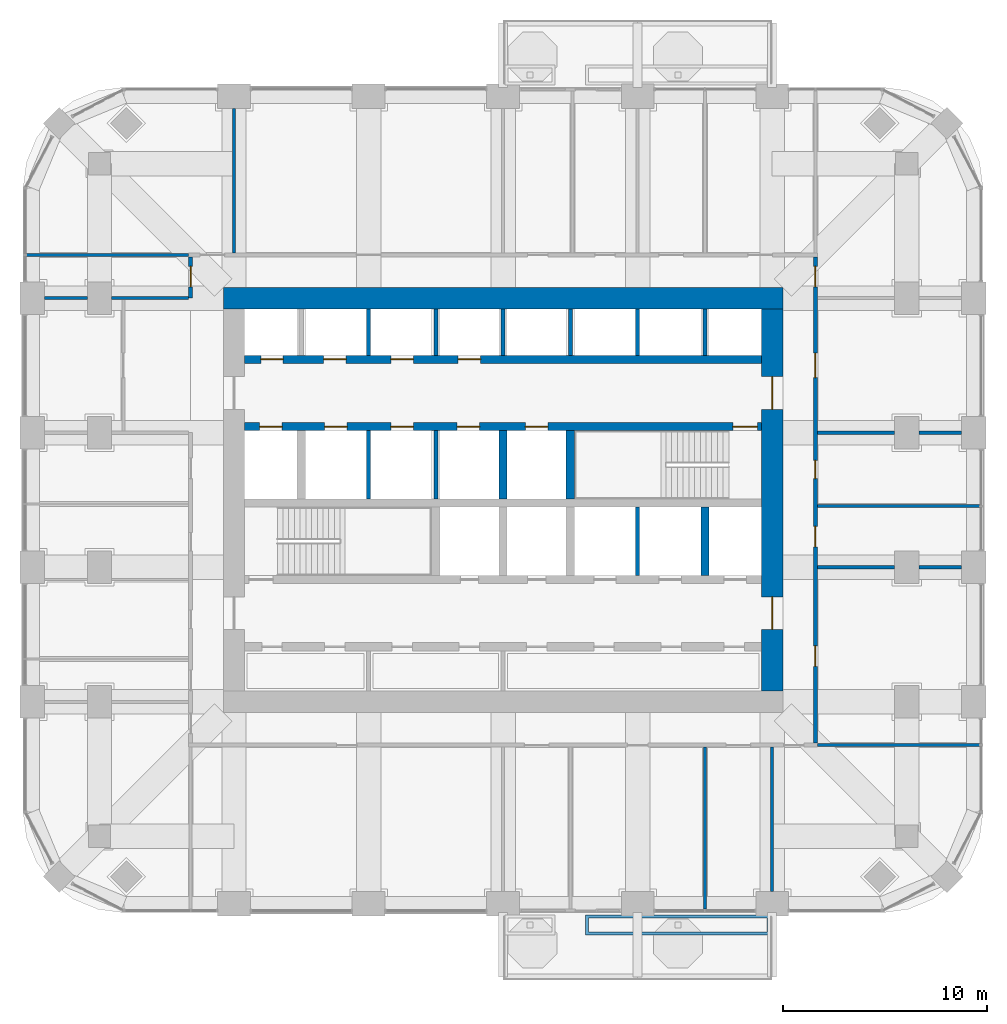
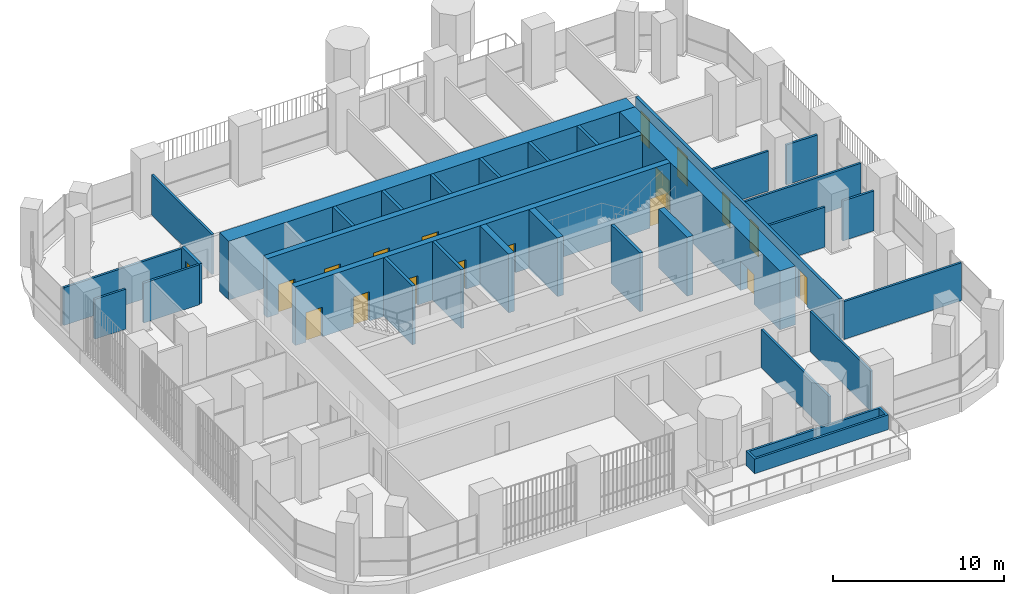
# One storey, part 14 of 19: 31 walls, 18 doors, 18 openings.
"""IFC4 building model written with IfcOpenShell, lengths in metres."""

from ifc_helpers import new_model, si_unit, direction, frame, frame_2d, origin, place, context, subcontext, project, spatial, polyline, rectangle, outline, extrude, material, layer, layer_set, type_object, element, fill, save


model = new_model("IFC4")

# Units and contexts
model_context = context("Model", 3, precision=1e-05, world=origin(), true_north=direction((0.0, 1.0)))
body_context = subcontext(model_context, "Body", "Model", "MODEL_VIEW")
ifc_project = project(units=[si_unit("LENGTHUNIT", "METRE"), si_unit("AREAUNIT", "SQUARE_METRE"), si_unit("VOLUMEUNIT", "CUBIC_METRE"), si_unit("PLANEANGLEUNIT", "RADIAN"), si_unit("MASSUNIT", "GRAM", prefix="KILO")], contexts=[model_context])

# Site, building, storey
site_placement = place(None, origin())
site = spatial("IfcSite", under=ifc_project, at=site_placement, CompositionType="ELEMENT")
building_placement = place(site_placement, origin())
building = spatial("IfcBuilding", under=site, at=building_placement, Name="Cobogo Forest Laboratory Tower", CompositionType="ELEMENT")
storey_placement = place(building_placement, frame((0.0, 0.0, 172.5)))
storey = spatial("IfcBuildingStorey", under=building, at=storey_placement, Name="L39", CompositionType="ELEMENT", Elevation=172.5)

# Wall, openings, doors
ifc_material_1 = material(Name="Concrete HA-50 (C50/60)", Category="concrete")
ifc_layer_1 = layer(ifc_material_1, 0.39990234375)
ifc_layer_set_1 = layer_set([ifc_layer_1], Name="CI400 core inner wall 400")
wall_type_1 = type_object("IfcWallType", Name="CI400 core inner wall 400", PredefinedType="SHEAR", material=ifc_layer_set_1)
wall_1_placement = place(storey_placement, frame((13.72509765625, 26.699951171875, 0.0), z_axis=(0.0, 0.0, 1.0), x_axis=(1.0, 0.0, 0.0)))
wall_1 = element("IfcWall", 1, at=wall_1_placement, inside=storey, type_object=wall_type_1, Name="Core wall CI-26.7 L39", PredefinedType="SHEAR", context=body_context, shape_type="SweptSolid", body=[
    extrude(rectangle(XDim=25.349853515625, YDim=0.39990234375, at=frame_2d((12.6748046875, 0.0))), origin(), (0.0, 0.0, 1.0), 4.199951171875),
])
opening_1_placement = place(wall_1_placement, frame((23.949951171875, 0.0, 0.0)))
opening_1 = element("IfcOpeningElement", 2, at=opening_1_placement, cuts=wall_1, Name="Opening L39-D28", PredefinedType="OPENING", context=body_context, shape_type="SweptSolid", body=[
    extrude(rectangle(XDim=1.199951171875, YDim=2.10009765625, at=frame_2d((0.60009765625, 1.050048828125))), frame((0.0, 0.2099609375, 0.0), z_axis=(0.0, -1.0, 0.0), x_axis=(1.0, 0.0, 0.0)), (0.0, 0.0, 1.0), 0.419921875),
])
opening_2_placement = place(wall_1_placement, frame((0.737548828125, 0.0, 0.0)))
opening_2 = element("IfcOpeningElement", 3, at=opening_2_placement, cuts=wall_1, Name="Opening L39-LD-FL1", PredefinedType="OPENING", context=body_context, shape_type="SweptSolid", body=[
    extrude(rectangle(XDim=1.10009765625, YDim=2.10009765625, at=frame_2d((0.550048828125, 1.050048828125))), frame((0.0, 0.2099609375, 0.0), z_axis=(0.0, -1.0, 0.0), x_axis=(1.0, 0.0, 0.0)), (0.0, 0.0, 1.0), 0.419921875),
])
opening_3_placement = place(wall_1_placement, frame((3.925048828125, 0.0, 0.0)))
opening_3 = element("IfcOpeningElement", 4, at=opening_3_placement, cuts=wall_1, Name="Opening L39-LD-LS3", PredefinedType="OPENING", context=body_context, shape_type="SweptSolid", body=[
    extrude(rectangle(XDim=1.10009765625, YDim=2.10009765625, at=frame_2d((0.550048828125, 1.050048828125))), frame((0.0, 0.2099609375, 0.0), z_axis=(0.0, -1.0, 0.0), x_axis=(1.0, 0.0, 0.0)), (0.0, 0.0, 1.0), 0.419921875),
])
opening_4_placement = place(wall_1_placement, frame((7.175048828125, 0.0, 0.0)))
opening_4 = element("IfcOpeningElement", 5, at=opening_4_placement, cuts=wall_1, Name="Opening L39-LD-LS4", PredefinedType="OPENING", context=body_context, shape_type="SweptSolid", body=[
    extrude(rectangle(XDim=1.10009765625, YDim=2.10009765625, at=frame_2d((0.550048828125, 1.050048828125))), frame((0.0, 0.2099609375, 0.0), z_axis=(0.0, -1.0, 0.0), x_axis=(1.0, 0.0, 0.0)), (0.0, 0.0, 1.0), 0.419921875),
])
opening_5_placement = place(wall_1_placement, frame((10.425048828125, 0.0, 0.0)))
opening_5 = element("IfcOpeningElement", 6, at=opening_5_placement, cuts=wall_1, Name="Opening L39-LD-LS5", PredefinedType="OPENING", context=body_context, shape_type="SweptSolid", body=[
    extrude(rectangle(XDim=1.10009765625, YDim=2.10009765625, at=frame_2d((0.550048828125, 1.050048828125))), frame((0.0, 0.2099609375, 0.0), z_axis=(0.0, -1.0, 0.0), x_axis=(1.0, 0.0, 0.0)), (0.0, 0.0, 1.0), 0.419921875),
])
opening_6_placement = place(wall_1_placement, frame((13.77490234375, 0.0, 0.0)))
opening_6 = element("IfcOpeningElement", 7, at=opening_6_placement, cuts=wall_1, Name="Opening L39-LD-LS6", PredefinedType="OPENING", context=body_context, shape_type="SweptSolid", body=[
    extrude(rectangle(XDim=1.10009765625, YDim=2.10009765625, at=frame_2d((0.550048828125, 1.050048828125))), frame((0.0, 0.2099609375, 0.0), z_axis=(0.0, -1.0, 0.0), x_axis=(1.0, 0.0, 0.0)), (0.0, 0.0, 1.0), 0.419921875),
])
ifc_material_2 = material(Name="Steel fire door", Category="steel")
door_type_1 = type_object("IfcDoorType", Name="DS1 protected stair door 1200 EI2 60", OperationType="SINGLE_SWING_LEFT", PredefinedType="DOOR", material=ifc_material_2)
door_1_placement = place(opening_1_placement, origin())
door_1 = element("IfcDoor", 8, at=door_1_placement, inside=storey, type_object=door_type_1, Name="Door L39-ST2", OperationType="SINGLE_SWING_RIGHT", OverallHeight=2.10009765625, OverallWidth=1.199951171875, PredefinedType="DOOR", context=body_context, shape_type="SweptSolid", body=[
    extrude(rectangle(XDim=1.199951171875, YDim=2.10009765625, at=frame_2d((0.60009765625, 1.050048828125))), frame((0.0, 0.02490234375, 0.0), z_axis=(0.0, -1.0, 0.0), x_axis=(1.0, 0.0, 0.0)), (0.0, 0.0, 1.0), 0.050048828125),
])
fill(opening_1, door_1)
ifc_material_3 = material(Name="Stainless steel lift door", Category="steel")
door_type_2 = type_object("IfcDoorType", Name="LD lift landing door 1100", OperationType="DOUBLE_DOOR_SLIDING", PredefinedType="DOOR", material=ifc_material_3)
door_2_placement = place(opening_2_placement, origin())
door_2 = element("IfcDoor", 9, at=door_2_placement, inside=storey, type_object=door_type_2, Name="Lift landing door FL1 L39", OperationType="DOUBLE_DOOR_SLIDING", OverallHeight=2.10009765625, OverallWidth=1.10009765625, PredefinedType="DOOR", context=body_context, shape_type="SweptSolid", body=[
    extrude(rectangle(XDim=1.10009765625, YDim=2.10009765625, at=frame_2d((0.550048828125, 1.050048828125))), frame((0.0, 0.02490234375, 0.0), z_axis=(0.0, -1.0, 0.0), x_axis=(1.0, 0.0, 0.0)), (0.0, 0.0, 1.0), 0.050048828125),
])
fill(opening_2, door_2)
door_3_placement = place(opening_3_placement, origin())
door_3 = element("IfcDoor", 10, at=door_3_placement, inside=storey, type_object=door_type_2, Name="Lift landing door LS3 L39", OperationType="DOUBLE_DOOR_SLIDING", OverallHeight=2.10009765625, OverallWidth=1.10009765625, PredefinedType="DOOR", context=body_context, shape_type="SweptSolid", body=[
    extrude(rectangle(XDim=1.10009765625, YDim=2.10009765625, at=frame_2d((0.550048828125, 1.050048828125))), frame((0.0, 0.02490234375, 0.0), z_axis=(0.0, -1.0, 0.0), x_axis=(1.0, 0.0, 0.0)), (0.0, 0.0, 1.0), 0.050048828125),
])
fill(opening_3, door_3)
door_4_placement = place(opening_4_placement, origin())
door_4 = element("IfcDoor", 11, at=door_4_placement, inside=storey, type_object=door_type_2, Name="Lift landing door LS4 L39", OperationType="DOUBLE_DOOR_SLIDING", OverallHeight=2.10009765625, OverallWidth=1.10009765625, PredefinedType="DOOR", context=body_context, shape_type="SweptSolid", body=[
    extrude(rectangle(XDim=1.10009765625, YDim=2.10009765625, at=frame_2d((0.550048828125, 1.050048828125))), frame((0.0, 0.02490234375, 0.0), z_axis=(0.0, -1.0, 0.0), x_axis=(1.0, 0.0, 0.0)), (0.0, 0.0, 1.0), 0.050048828125),
])
fill(opening_4, door_4)
door_5_placement = place(opening_5_placement, origin())
door_5 = element("IfcDoor", 12, at=door_5_placement, inside=storey, type_object=door_type_2, Name="Lift landing door LS5 L39", OperationType="DOUBLE_DOOR_SLIDING", OverallHeight=2.10009765625, OverallWidth=1.10009765625, PredefinedType="DOOR", context=body_context, shape_type="SweptSolid", body=[
    extrude(rectangle(XDim=1.10009765625, YDim=2.10009765625, at=frame_2d((0.550048828125, 1.050048828125))), frame((0.0, 0.02490234375, 0.0), z_axis=(0.0, -1.0, 0.0), x_axis=(1.0, 0.0, 0.0)), (0.0, 0.0, 1.0), 0.050048828125),
])
fill(opening_5, door_5)
door_6_placement = place(opening_6_placement, origin())
door_6 = element("IfcDoor", 13, at=door_6_placement, inside=storey, type_object=door_type_2, Name="Lift landing door LS6 L39", OperationType="DOUBLE_DOOR_SLIDING", OverallHeight=2.10009765625, OverallWidth=1.10009765625, PredefinedType="DOOR", context=body_context, shape_type="SweptSolid", body=[
    extrude(rectangle(XDim=1.10009765625, YDim=2.10009765625, at=frame_2d((0.550048828125, 1.050048828125))), frame((0.0, 0.02490234375, 0.0), z_axis=(0.0, -1.0, 0.0), x_axis=(1.0, 0.0, 0.0)), (0.0, 0.0, 1.0), 0.050048828125),
])
fill(opening_6, door_6)

wall_2_placement = place(storey_placement, frame((13.72509765625, 30.0, 0.0), z_axis=(0.0, 0.0, 1.0), x_axis=(1.0, 0.0, 0.0)))
wall_2 = element("IfcWall", 14, at=wall_2_placement, inside=storey, type_object=wall_type_1, Name="Core wall CI-30.0 L39", PredefinedType="SHEAR", context=body_context, shape_type="SweptSolid", body=[
    extrude(rectangle(XDim=25.349853515625, YDim=0.39990234375, at=frame_2d((12.6748046875, 0.0))), origin(), (0.0, 0.0, 1.0), 4.199951171875),
])
opening_7_placement = place(wall_2_placement, frame((0.78759765625, 0.0, 0.0)))
opening_7 = element("IfcOpeningElement", 15, at=opening_7_placement, cuts=wall_2, Name="Opening L39-LD-LC1", PredefinedType="OPENING", context=body_context, shape_type="SweptSolid", body=[
    extrude(rectangle(XDim=1.10009765625, YDim=2.10009765625, at=frame_2d((0.550048828125, 1.050048828125))), frame((0.0, 0.2099609375, 0.0), z_axis=(0.0, -1.0, 0.0), x_axis=(1.0, 0.0, 0.0)), (0.0, 0.0, 1.0), 0.419921875),
])
opening_8_placement = place(wall_2_placement, frame((3.875, 0.0, 0.0)))
opening_8 = element("IfcOpeningElement", 16, at=opening_8_placement, cuts=wall_2, Name="Opening L39-LD-LC2", PredefinedType="OPENING", context=body_context, shape_type="SweptSolid", body=[
    extrude(rectangle(XDim=1.10009765625, YDim=2.10009765625, at=frame_2d((0.550048828125, 1.050048828125))), frame((0.0, 0.2099609375, 0.0), z_axis=(0.0, -1.0, 0.0), x_axis=(1.0, 0.0, 0.0)), (0.0, 0.0, 1.0), 0.419921875),
])
opening_9_placement = place(wall_2_placement, frame((7.175048828125, 0.0, 0.0)))
opening_9 = element("IfcOpeningElement", 17, at=opening_9_placement, cuts=wall_2, Name="Opening L39-LD-LC3", PredefinedType="OPENING", context=body_context, shape_type="SweptSolid", body=[
    extrude(rectangle(XDim=1.10009765625, YDim=2.10009765625, at=frame_2d((0.550048828125, 1.050048828125))), frame((0.0, 0.2099609375, 0.0), z_axis=(0.0, -1.0, 0.0), x_axis=(1.0, 0.0, 0.0)), (0.0, 0.0, 1.0), 0.419921875),
])
opening_10_placement = place(wall_2_placement, frame((10.47509765625, 0.0, 0.0)))
opening_10 = element("IfcOpeningElement", 18, at=opening_10_placement, cuts=wall_2, Name="Opening L39-LD-LC4", PredefinedType="OPENING", context=body_context, shape_type="SweptSolid", body=[
    extrude(rectangle(XDim=1.10009765625, YDim=2.10009765625, at=frame_2d((0.550048828125, 1.050048828125))), frame((0.0, 0.2099609375, 0.0), z_axis=(0.0, -1.0, 0.0), x_axis=(1.0, 0.0, 0.0)), (0.0, 0.0, 1.0), 0.419921875),
])
door_7_placement = place(opening_7_placement, origin())
door_7 = element("IfcDoor", 19, at=door_7_placement, inside=storey, type_object=door_type_2, Name="Lift landing door LC1 L39", OperationType="DOUBLE_DOOR_SLIDING", OverallHeight=2.10009765625, OverallWidth=1.10009765625, PredefinedType="DOOR", context=body_context, shape_type="SweptSolid", body=[
    extrude(rectangle(XDim=1.10009765625, YDim=2.10009765625, at=frame_2d((0.550048828125, 1.050048828125))), frame((0.0, 0.02490234375, 0.0), z_axis=(0.0, -1.0, 0.0), x_axis=(1.0, 0.0, 0.0)), (0.0, 0.0, 1.0), 0.050048828125),
])
fill(opening_7, door_7)
door_8_placement = place(opening_8_placement, origin())
door_8 = element("IfcDoor", 20, at=door_8_placement, inside=storey, type_object=door_type_2, Name="Lift landing door LC2 L39", OperationType="DOUBLE_DOOR_SLIDING", OverallHeight=2.10009765625, OverallWidth=1.10009765625, PredefinedType="DOOR", context=body_context, shape_type="SweptSolid", body=[
    extrude(rectangle(XDim=1.10009765625, YDim=2.10009765625, at=frame_2d((0.550048828125, 1.050048828125))), frame((0.0, 0.02490234375, 0.0), z_axis=(0.0, -1.0, 0.0), x_axis=(1.0, 0.0, 0.0)), (0.0, 0.0, 1.0), 0.050048828125),
])
fill(opening_8, door_8)
door_9_placement = place(opening_9_placement, origin())
door_9 = element("IfcDoor", 21, at=door_9_placement, inside=storey, type_object=door_type_2, Name="Lift landing door LC3 L39", OperationType="DOUBLE_DOOR_SLIDING", OverallHeight=2.10009765625, OverallWidth=1.10009765625, PredefinedType="DOOR", context=body_context, shape_type="SweptSolid", body=[
    extrude(rectangle(XDim=1.10009765625, YDim=2.10009765625, at=frame_2d((0.550048828125, 1.050048828125))), frame((0.0, 0.02490234375, 0.0), z_axis=(0.0, -1.0, 0.0), x_axis=(1.0, 0.0, 0.0)), (0.0, 0.0, 1.0), 0.050048828125),
])
fill(opening_9, door_9)
door_10_placement = place(opening_10_placement, origin())
door_10 = element("IfcDoor", 22, at=door_10_placement, inside=storey, type_object=door_type_2, Name="Lift landing door LC4 L39", OperationType="DOUBLE_DOOR_SLIDING", OverallHeight=2.10009765625, OverallWidth=1.10009765625, PredefinedType="DOOR", context=body_context, shape_type="SweptSolid", body=[
    extrude(rectangle(XDim=1.10009765625, YDim=2.10009765625, at=frame_2d((0.550048828125, 1.050048828125))), frame((0.0, 0.02490234375, 0.0), z_axis=(0.0, -1.0, 0.0), x_axis=(1.0, 0.0, 0.0)), (0.0, 0.0, 1.0), 0.050048828125),
])
fill(opening_10, door_10)

# Walls
for number, where, z_axis, x_axis, name in (
    (23, (36.300048828125, 19.39990234375, 0.0), (0.0, 0.0, 1.0), (0.0, 1.0, 0.0), "Core wall CX-36.3 L39"),
    (24, (26.39990234375, 23.14990234375, 0.0), (0.0, 0.0, 1.0), (0.0, 1.0, 0.0), "Core wall CX-26.4N L39"),
    (25, (29.699951171875, 23.14990234375, 0.0), (0.0, 0.0, 1.0), (0.0, 1.0, 0.0), "Core wall CX-29.7N L39"),
):
    element("IfcWall", number, at=place(storey_placement, frame(where, z_axis=z_axis, x_axis=x_axis)), inside=storey, type_object=wall_type_1, Name=name, PredefinedType="SHEAR", context=body_context, shape_type="SweptSolid", body=[
        extrude(rectangle(XDim=3.35009765625, YDim=0.39990234375, at=frame_2d((1.675048828125, 0.0))), origin(), (0.0, 0.0, 1.0), 4.199951171875),
    ])

# Wall, openings, doors
ifc_layer_2 = layer(ifc_material_1, 1.050048828125)
ifc_layer_set_2 = layer_set([ifc_layer_2], Name="CW1050 core outer wall 1050")
wall_type_2 = type_object("IfcWallType", Name="CW1050 core outer wall 1050", PredefinedType="SHEAR", material=ifc_layer_set_2)
wall_3_placement = place(storey_placement, frame((39.60009765625, 13.72509765625, 0.0), z_axis=(0.0, 0.0, 1.0), x_axis=(0.0, 1.0, 0.0)))
wall_3 = element("IfcWall", 26, at=wall_3_placement, inside=storey, type_object=wall_type_2, Name="Core wall CO-E L39", PredefinedType="SHEAR", context=body_context, shape_type="SweptSolid", body=[
    extrude(rectangle(XDim=18.75, YDim=1.050048828125, at=frame_2d((9.375, 0.0))), origin(), (0.0, 0.0, 1.0), 4.199951171875),
])
opening_11_placement = place(wall_3_placement, frame((3.02490234375, 0.0, 0.0)))
opening_11 = element("IfcOpeningElement", 27, at=opening_11_placement, cuts=wall_3, Name="Opening L39-D20", PredefinedType="OPENING", context=body_context, shape_type="SweptSolid", body=[
    extrude(rectangle(XDim=1.60009765625, YDim=2.10009765625, at=frame_2d((0.800048828125, 1.050048828125))), frame((0.0, 0.534912109375, 0.0), z_axis=(0.0, -1.0, 0.0), x_axis=(1.0, 0.0, 0.0)), (0.0, 0.0, 1.0), 1.070068359375),
])
opening_12_placement = place(wall_3_placement, frame((13.824951171875, 0.0, 0.0)))
opening_12 = element("IfcOpeningElement", 28, at=opening_12_placement, cuts=wall_3, Name="Opening L39-D30", PredefinedType="OPENING", context=body_context, shape_type="SweptSolid", body=[
    extrude(rectangle(XDim=1.60009765625, YDim=2.10009765625, at=frame_2d((0.800048828125, 1.050048828125))), frame((0.0, 0.534912109375, 0.0), z_axis=(0.0, -1.0, 0.0), x_axis=(1.0, 0.0, 0.0)), (0.0, 0.0, 1.0), 1.070068359375),
])
door_type_3 = type_object("IfcDoorType", Name="DS2 protected lobby door pair 1600 EI2 60", OperationType="DOUBLE_DOOR_DOUBLE_SWING", PredefinedType="DOOR", material=ifc_material_2)
door_11_placement = place(opening_11_placement, origin())
door_11 = element("IfcDoor", 29, at=door_11_placement, inside=storey, type_object=door_type_3, Name="Door L39-CO-E-S", OperationType="DOUBLE_DOOR_DOUBLE_SWING", OverallHeight=2.10009765625, OverallWidth=1.60009765625, PredefinedType="DOOR", context=body_context, shape_type="SweptSolid", body=[
    extrude(rectangle(XDim=1.60009765625, YDim=2.10009765625, at=frame_2d((0.800048828125, 1.050048828125))), frame((0.0, 0.02490234375, 0.0), z_axis=(0.0, -1.0, 0.0), x_axis=(1.0, 0.0, 0.0)), (0.0, 0.0, 1.0), 0.050048828125),
])
fill(opening_11, door_11)
door_12_placement = place(opening_12_placement, origin())
door_12 = element("IfcDoor", 30, at=door_12_placement, inside=storey, type_object=door_type_3, Name="Door L39-CO-E-N", OperationType="DOUBLE_DOOR_DOUBLE_SWING", OverallHeight=2.10009765625, OverallWidth=1.60009765625, PredefinedType="DOOR", context=body_context, shape_type="SweptSolid", body=[
    extrude(rectangle(XDim=1.60009765625, YDim=2.10009765625, at=frame_2d((0.800048828125, 1.050048828125))), frame((0.0, 0.02490234375, 0.0), z_axis=(0.0, -1.0, 0.0), x_axis=(1.0, 0.0, 0.0)), (0.0, 0.0, 1.0), 0.050048828125),
])
fill(opening_12, door_12)

# Walls
wall_4_placement = place(storey_placement, frame((40.125, 33.0, 0.0), z_axis=(0.0, 0.0, 1.0), x_axis=(-1.0, 0.0, 0.0)))
element("IfcWall", 31, at=wall_4_placement, inside=storey, type_object=wall_type_2, Name="Core wall CO-N L39", PredefinedType="SHEAR", context=body_context, shape_type="SweptSolid", body=[
    extrude(rectangle(XDim=27.449951171875, YDim=1.050048828125, at=frame_2d((13.72509765625, 0.0))), origin(), (0.0, 0.0, 1.0), 4.199951171875),
])
ifc_material_4 = material(Name="Gypsum board on steel studs", Category="steel")
ifc_layer_3 = layer(ifc_material_4, 0.14990234375)
ifc_layer_set_3 = layer_set([ifc_layer_3], Name="PT1 laboratory partition 150")
wall_type_3 = type_object("IfcWallType", Name="PT1 laboratory partition 150", PredefinedType="PARTITIONING", material=ifc_layer_set_3)
for number, where, z_axis, x_axis, name in (
    (32, (49.77001953125, 11.074951171875, 0.0), (0.0, 0.0, 1.0), (-1.0, 0.0, 0.0), "Partition PW-SE L39"),
    (33, (3.030029296875, 35.125, 0.0), (0.0, 0.0, 1.0), (1.0, 0.0, 0.0), "Partition PW-NW L39"),
    (34, (36.300048828125, 3.030029296875, 0.0), (0.0, 0.0, 1.0), (0.0, 1.0, 0.0), "Partition CUT-S36.3-1 L39"),
):
    element("IfcWall", number, at=place(storey_placement, frame(where, z_axis=z_axis, x_axis=x_axis)), inside=storey, type_object=wall_type_3, Name=name, PredefinedType="PARTITIONING", context=body_context, shape_type="SweptSolid", body=[
        extrude(rectangle(XDim=7.945068359375, YDim=0.14990234375, at=frame_2d((3.97265625, 0.0))), origin(), (0.0, 0.0, 1.0), 2.699951171875),
    ])
wall_5_placement = place(storey_placement, frame((39.60009765625, 3.89990234375, 0.0), z_axis=(0.0, 0.0, 1.0), x_axis=(0.0, 1.0, 0.0)))
element("IfcWall", 35, at=wall_5_placement, inside=storey, type_object=wall_type_3, Name="Partition CUT-S39.6-1 L39", PredefinedType="PARTITIONING", context=body_context, shape_type="SweptSolid", body=[
    extrude(rectangle(XDim=7.0751953125, YDim=0.14990234375, at=frame_2d((3.53759765625, 0.0))), origin(), (0.0, 0.0, 1.0), 2.85009765625),
])
wall_6_placement = place(storey_placement, frame((49.77001953125, 22.800048828125, 0.0), z_axis=(0.0, 0.0, 1.0), x_axis=(-1.0, 0.0, 0.0)))
element("IfcWall", 36, at=wall_6_placement, inside=storey, type_object=wall_type_3, Name="Partition SVC-E1-1 L39", PredefinedType="PARTITIONING", context=body_context, shape_type="SweptSolid", body=[
    extrude(rectangle(XDim=7.945068359375, YDim=0.14990234375, at=frame_2d((3.97265625, 0.0))), origin(), (0.0, 0.0, 1.0), 2.699951171875),
])
wall_7_placement = place(storey_placement, frame((48.89990234375, 26.39990234375, 0.0), z_axis=(0.0, 0.0, 1.0), x_axis=(-1.0, 0.0, 0.0)))
element("IfcWall", 37, at=wall_7_placement, inside=storey, type_object=wall_type_3, Name="Partition SVC-E2-1 L39", PredefinedType="PARTITIONING", context=body_context, shape_type="SweptSolid", body=[
    extrude(rectangle(XDim=2.099853515625, YDim=0.14990234375, at=frame_2d((1.0498046875, 0.0))), origin(), (0.0, 0.0, 1.0), 2.85009765625),
])
wall_8_placement = place(storey_placement, frame((45.60009765625, 26.39990234375, 0.0), z_axis=(0.0, 0.0, 1.0), x_axis=(-1.0, 0.0, 0.0)))
element("IfcWall", 38, at=wall_8_placement, inside=storey, type_object=wall_type_3, Name="Partition SVC-E2-2 L39", PredefinedType="PARTITIONING", context=body_context, shape_type="SweptSolid", body=[
    extrude(rectangle(XDim=3.775146484375, YDim=0.14990234375, at=frame_2d((1.8876953125, 0.0))), origin(), (0.0, 0.0, 1.0), 2.85009765625),
])
wall_9_placement = place(storey_placement, frame((48.89990234375, 19.800048828125, 0.0), z_axis=(0.0, 0.0, 1.0), x_axis=(-1.0, 0.0, 0.0)))
element("IfcWall", 39, at=wall_9_placement, inside=storey, type_object=wall_type_3, Name="Partition CUT-E19.8-1 L39", PredefinedType="PARTITIONING", context=body_context, shape_type="SweptSolid", body=[
    extrude(rectangle(XDim=2.099853515625, YDim=0.14990234375, at=frame_2d((1.0498046875, 0.0))), origin(), (0.0, 0.0, 1.0), 2.85009765625),
])
wall_10_placement = place(storey_placement, frame((45.60009765625, 19.800048828125, 0.0), z_axis=(0.0, 0.0, 1.0), x_axis=(-1.0, 0.0, 0.0)))
element("IfcWall", 40, at=wall_10_placement, inside=storey, type_object=wall_type_3, Name="Partition CUT-E19.8-2 L39", PredefinedType="PARTITIONING", context=body_context, shape_type="SweptSolid", body=[
    extrude(rectangle(XDim=3.775146484375, YDim=0.14990234375, at=frame_2d((1.8876953125, 0.0))), origin(), (0.0, 0.0, 1.0), 2.85009765625),
])
wall_11_placement = place(storey_placement, frame((13.199951171875, 42.300048828125, 0.0), z_axis=(0.0, 0.0, 1.0), x_axis=(0.0, -1.0, 0.0)))
element("IfcWall", 41, at=wall_11_placement, inside=storey, type_object=wall_type_3, Name="Partition CUT-N13.2-1 L39", PredefinedType="PARTITIONING", context=body_context, shape_type="SweptSolid", body=[
    extrude(rectangle(XDim=7.074951171875, YDim=0.14990234375, at=frame_2d((3.53759765625, 0.0))), origin(), (0.0, 0.0, 1.0), 2.85009765625),
])
wall_12_placement = place(storey_placement, frame((3.89990234375, 33.0, 0.0), z_axis=(0.0, 0.0, 1.0), x_axis=(1.0, 0.0, 0.0)))
element("IfcWall", 42, at=wall_12_placement, inside=storey, type_object=wall_type_3, Name="Partition CUT-W33-1 L39", PredefinedType="PARTITIONING", context=body_context, shape_type="SweptSolid", body=[
    extrude(rectangle(XDim=2.10009765625, YDim=0.14990234375, at=frame_2d((1.050048828125, 0.0))), origin(), (0.0, 0.0, 1.0), 2.85009765625),
])
wall_13_placement = place(storey_placement, frame((7.199951171875, 33.0, 0.0), z_axis=(0.0, 0.0, 1.0), x_axis=(1.0, 0.0, 0.0)))
element("IfcWall", 43, at=wall_13_placement, inside=storey, type_object=wall_type_3, Name="Partition CUT-W33-2 L39", PredefinedType="PARTITIONING", context=body_context, shape_type="SweptSolid", body=[
    extrude(rectangle(XDim=3.775146484375, YDim=0.14990234375, at=frame_2d((1.8876953125, 0.0))), origin(), (0.0, 0.0, 1.0), 2.85009765625),
])

# Wall, opening, door
ifc_layer_4 = layer(ifc_material_4, 0.199951171875)
ifc_layer_set_4 = layer_set([ifc_layer_4], Name="PT2 fire-rated corridor partition 200")
wall_type_4 = type_object("IfcWallType", Name="PT2 fire-rated corridor partition 200", PredefinedType="PARTITIONING", material=ifc_layer_set_4)
wall_14_placement = place(storey_placement, frame((11.074951171875, 33.0, 0.0), z_axis=(0.0, 0.0, 1.0), x_axis=(0.0, 1.0, 0.0)))
wall_14 = element("IfcWall", 44, at=wall_14_placement, inside=storey, type_object=wall_type_4, Name="Partition CORR-W-2 L39", PredefinedType="PARTITIONING", context=body_context, shape_type="SweptSolid", body=[
    extrude(rectangle(XDim=2.02490234375, YDim=0.199951171875, at=frame_2d((1.012451171875, 0.0))), origin(), (0.0, 0.0, 1.0), 2.85009765625),
])
opening_13_placement = place(wall_14_placement, frame((0.5625, 0.0, 0.0)))
opening_13 = element("IfcOpeningElement", 45, at=opening_13_placement, cuts=wall_14, Name="Opening L39-D33", PredefinedType="OPENING", context=body_context, shape_type="SweptSolid", body=[
    extrude(rectangle(XDim=1.0, YDim=2.10009765625, at=frame_2d((0.5, 1.050048828125))), frame((0.0, 0.10986328125, 0.0), z_axis=(0.0, -1.0, 0.0), x_axis=(1.0, 0.0, 0.0)), (0.0, 0.0, 1.0), 0.219970703125),
])
ifc_material_5 = material(Name="Timber fire door", Category="wood")
door_type_4 = type_object("IfcDoorType", Name="FD2 fire door 1000 EI2 30", OperationType="SINGLE_SWING_LEFT", PredefinedType="DOOR", material=ifc_material_5)
door_13_placement = place(opening_13_placement, origin())
door_13 = element("IfcDoor", 46, at=door_13_placement, inside=storey, type_object=door_type_4, Name="Door L39-W4", OperationType="SINGLE_SWING_RIGHT", OverallHeight=2.10009765625, OverallWidth=1.0, PredefinedType="DOOR", context=body_context, shape_type="SweptSolid", body=[
    extrude(rectangle(XDim=1.0, YDim=2.10009765625, at=frame_2d((0.5, 1.050048828125))), frame((0.0, 0.02490234375, 0.0), z_axis=(0.0, -1.0, 0.0), x_axis=(1.0, 0.0, 0.0)), (0.0, 0.0, 1.0), 0.050048828125),
])
fill(opening_13, door_13)

# Wall, openings, doors
wall_15_placement = place(storey_placement, frame((41.72509765625, 11.175048828125, 0.0), z_axis=(0.0, 0.0, 1.0), x_axis=(0.0, 1.0, 0.0)))
wall_15 = element("IfcWall", 47, at=wall_15_placement, inside=storey, type_object=wall_type_4, Name="Partition CORR-E L39", PredefinedType="PARTITIONING", context=body_context, shape_type="SweptSolid", body=[
    extrude(rectangle(XDim=23.849853515625, YDim=0.199951171875, at=frame_2d((11.9248046875, 0.0))), origin(), (0.0, 0.0, 1.0), 2.85009765625),
])
opening_14_placement = place(wall_15_placement, frame((3.762451171875, 0.0, 0.0)))
opening_14 = element("IfcOpeningElement", 48, at=opening_14_placement, cuts=wall_15, Name="Opening L39-D09", PredefinedType="OPENING", context=body_context, shape_type="SweptSolid", body=[
    extrude(rectangle(XDim=1.0, YDim=2.10009765625, at=frame_2d((0.5, 1.050048828125))), frame((0.0, 0.10986328125, 0.0), z_axis=(0.0, -1.0, 0.0), x_axis=(1.0, 0.0, 0.0)), (0.0, 0.0, 1.0), 0.219970703125),
])
opening_15_placement = place(wall_15_placement, frame((9.625, 0.0, 0.0)))
opening_15 = element("IfcOpeningElement", 49, at=opening_15_placement, cuts=wall_15, Name="Opening L39-D25", PredefinedType="OPENING", context=body_context, shape_type="SweptSolid", body=[
    extrude(rectangle(XDim=1.0, YDim=2.10009765625, at=frame_2d((0.5, 1.050048828125))), frame((0.0, 0.10986328125, 0.0), z_axis=(0.0, -1.0, 0.0), x_axis=(1.0, 0.0, 0.0)), (0.0, 0.0, 1.0), 0.219970703125),
])
opening_16_placement = place(wall_15_placement, frame((12.97509765625, 0.0, 0.0)))
opening_16 = element("IfcOpeningElement", 50, at=opening_16_placement, cuts=wall_15, Name="Opening L39-D26", PredefinedType="OPENING", context=body_context, shape_type="SweptSolid", body=[
    extrude(rectangle(XDim=0.89990234375, YDim=2.10009765625, at=frame_2d((0.449951171875, 1.050048828125))), frame((0.0, 0.10986328125, 0.0), z_axis=(0.0, -1.0, 0.0), x_axis=(1.0, 0.0, 0.0)), (0.0, 0.0, 1.0), 0.219970703125),
])
opening_17_placement = place(wall_15_placement, frame((17.925048828125, 0.0, 0.0)))
opening_17 = element("IfcOpeningElement", 51, at=opening_17_placement, cuts=wall_15, Name="Opening L39-D32", PredefinedType="OPENING", context=body_context, shape_type="SweptSolid", body=[
    extrude(rectangle(XDim=1.199951171875, YDim=2.10009765625, at=frame_2d((0.60009765625, 1.050048828125))), frame((0.0, 0.10986328125, 0.0), z_axis=(0.0, -1.0, 0.0), x_axis=(1.0, 0.0, 0.0)), (0.0, 0.0, 1.0), 0.219970703125),
])
opening_18_placement = place(wall_15_placement, frame((22.387451171875, 0.0, 0.0)))
opening_18 = element("IfcOpeningElement", 52, at=opening_18_placement, cuts=wall_15, Name="Opening L39-D34", PredefinedType="OPENING", context=body_context, shape_type="SweptSolid", body=[
    extrude(rectangle(XDim=1.0, YDim=2.10009765625, at=frame_2d((0.5, 1.050048828125))), frame((0.0, 0.10986328125, 0.0), z_axis=(0.0, -1.0, 0.0), x_axis=(1.0, 0.0, 0.0)), (0.0, 0.0, 1.0), 0.219970703125),
])
ifc_material_6 = material(Name="Timber door", Category="wood")
door_type_5 = type_object("IfcDoorType", Name="D2 laboratory door 1200 unequal pair", OperationType="DOUBLE_DOOR_SINGLE_SWING", PredefinedType="DOOR", material=ifc_material_6)
door_14_placement = place(opening_17_placement, origin())
door_14 = element("IfcDoor", 53, at=door_14_placement, inside=storey, type_object=door_type_5, Name="Door L39-E2", OperationType="DOUBLE_DOOR_SINGLE_SWING", OverallHeight=2.10009765625, OverallWidth=1.199951171875, PredefinedType="DOOR", context=body_context, shape_type="SweptSolid", body=[
    extrude(rectangle(XDim=1.199951171875, YDim=2.10009765625, at=frame_2d((0.60009765625, 1.050048828125))), frame((0.0, 0.02490234375, 0.0), z_axis=(0.0, -1.0, 0.0), x_axis=(1.0, 0.0, 0.0)), (0.0, 0.0, 1.0), 0.050048828125),
])
fill(opening_17, door_14)
door_type_6 = type_object("IfcDoorType", Name="FD1 fire door 1000 EI2 60", OperationType="SINGLE_SWING_LEFT", PredefinedType="DOOR", material=ifc_material_2)
door_15_placement = place(opening_15_placement, origin())
door_15 = element("IfcDoor", 54, at=door_15_placement, inside=storey, type_object=door_type_6, Name="Door L39-ELEC", OperationType="SINGLE_SWING_LEFT", OverallHeight=2.10009765625, OverallWidth=1.0, PredefinedType="DOOR", context=body_context, shape_type="SweptSolid", body=[
    extrude(rectangle(XDim=1.0, YDim=2.10009765625, at=frame_2d((0.5, 1.050048828125))), frame((0.0, 0.02490234375, 0.0), z_axis=(0.0, -1.0, 0.0), x_axis=(1.0, 0.0, 0.0)), (0.0, 0.0, 1.0), 0.050048828125),
])
fill(opening_15, door_15)
door_16_placement = place(opening_14_placement, origin())
door_16 = element("IfcDoor", 55, at=door_16_placement, inside=storey, type_object=door_type_4, Name="Door L39-E1", OperationType="SINGLE_SWING_LEFT", OverallHeight=2.10009765625, OverallWidth=1.0, PredefinedType="DOOR", context=body_context, shape_type="SweptSolid", body=[
    extrude(rectangle(XDim=1.0, YDim=2.10009765625, at=frame_2d((0.5, 1.050048828125))), frame((0.0, 0.02490234375, 0.0), z_axis=(0.0, -1.0, 0.0), x_axis=(1.0, 0.0, 0.0)), (0.0, 0.0, 1.0), 0.050048828125),
])
fill(opening_14, door_16)
door_17_placement = place(opening_18_placement, origin())
door_17 = element("IfcDoor", 56, at=door_17_placement, inside=storey, type_object=door_type_4, Name="Door L39-E3", OperationType="SINGLE_SWING_RIGHT", OverallHeight=2.10009765625, OverallWidth=1.0, PredefinedType="DOOR", context=body_context, shape_type="SweptSolid", body=[
    extrude(rectangle(XDim=1.0, YDim=2.10009765625, at=frame_2d((0.5, 1.050048828125))), frame((0.0, 0.02490234375, 0.0), z_axis=(0.0, -1.0, 0.0), x_axis=(1.0, 0.0, 0.0)), (0.0, 0.0, 1.0), 0.050048828125),
])
fill(opening_18, door_17)
door_type_7 = type_object("IfcDoorType", Name="FD4 riser access door 900 EI2 60", OperationType="SINGLE_SWING_LEFT", PredefinedType="DOOR", material=ifc_material_2)
door_18_placement = place(opening_16_placement, origin())
door_18 = element("IfcDoor", 57, at=door_18_placement, inside=storey, type_object=door_type_7, Name="Door L39-COMMS", OperationType="SINGLE_SWING_RIGHT", OverallHeight=2.10009765625, OverallWidth=0.89990234375, PredefinedType="DOOR", context=body_context, shape_type="SweptSolid", body=[
    extrude(rectangle(XDim=0.89990234375, YDim=2.10009765625, at=frame_2d((0.449951171875, 1.050048828125))), frame((0.0, 0.02490234375, 0.0), z_axis=(0.0, -1.0, 0.0), x_axis=(1.0, 0.0, 0.0)), (0.0, 0.0, 1.0), 0.050048828125),
])
fill(opening_16, door_18)

# Walls
ifc_material_7 = material(Name="Concrete HA-40 (C40/50)", Category="concrete")
ifc_layer_5 = layer(ifc_material_7, 0.14990234375)
ifc_layer_set_5 = layer_set([ifc_layer_5], Name="Planter box 1000x1050")
wall_type_5 = type_object("IfcWallType", Name="Planter box 1000x1050", PredefinedType="USERDEFINED", material=ifc_layer_set_5)
wall_16_placement = place(storey_placement, origin())
element("IfcWall", 58, at=wall_16_placement, inside=storey, type_object=wall_type_5, Name="Planter BAL-S1-2 L39", ObjectType="PLANTER", PredefinedType="USERDEFINED", context=body_context, shape_type="SweptSolid", body=[
    extrude(outline(polyline([(30.449951171875, 1.75), (39.5, 1.75), (39.5, 2.75), (30.449951171875, 2.75), (30.449951171875, 1.75)]), holes=[polyline([(30.60009765625, 1.89990234375), (39.35009765625, 1.89990234375), (39.35009765625, 2.60009765625), (30.60009765625, 2.60009765625), (30.60009765625, 1.89990234375)])]), origin(), (0.0, 0.0, 1.0), 1.050048828125),
])
ifc_material_8 = material(Name="Concrete block", Category="concrete")
ifc_layer_6 = layer(ifc_material_8, 0.199951171875)
ifc_layer_set_6 = layer_set([ifc_layer_6], Name="SW200 lift shaft separator 200")
wall_type_6 = type_object("IfcWallType", Name="SW200 lift shaft separator 200", PredefinedType="PARTITIONING", material=ifc_layer_set_6)
for number, where, z_axis, x_axis, name in (
    (59, (19.800048828125, 30.199951171875, 0.0), (0.0, 0.0, 1.0), (0.0, 1.0, 0.0), "Core wall SEP-N2 L39"),
    (60, (23.10009765625, 30.199951171875, 0.0), (0.0, 0.0, 1.0), (0.0, 1.0, 0.0), "Core wall SEP-N3 L39"),
    (61, (26.39990234375, 30.199951171875, 0.0), (0.0, 0.0, 1.0), (0.0, 1.0, 0.0), "Core wall SEP-N4 L39"),
    (62, (29.699951171875, 30.199951171875, 0.0), (0.0, 0.0, 1.0), (0.0, 1.0, 0.0), "Core wall SEP-N5 L39"),
    (63, (33.0, 30.199951171875, 0.0), (0.0, 0.0, 1.0), (0.0, 1.0, 0.0), "Core wall SEP-N6 L39"),
    (64, (36.300048828125, 30.199951171875, 0.0), (0.0, 0.0, 1.0), (0.0, 1.0, 0.0), "Core wall SEP-N7 L39"),
):
    element("IfcWall", number, at=place(storey_placement, frame(where, z_axis=z_axis, x_axis=x_axis)), inside=storey, type_object=wall_type_6, Name=name, PredefinedType="PARTITIONING", context=body_context, shape_type="SweptSolid", body=[
        extrude(rectangle(XDim=2.275146484375, YDim=0.199951171875, at=frame_2d((1.1376953125, 0.0))), origin(), (0.0, 0.0, 1.0), 4.199951171875),
    ])
for number, where, z_axis, x_axis, name in (
    (65, (33.0, 19.39990234375, 0.0), (0.0, 0.0, 1.0), (0.0, 1.0, 0.0), "Core wall SEP-M33.0 L39"),
    (66, (19.800048828125, 23.14990234375, 0.0), (0.0, 0.0, 1.0), (0.0, 1.0, 0.0), "Core wall SEP-M19.8 L39"),
    (67, (23.10009765625, 23.14990234375, 0.0), (0.0, 0.0, 1.0), (0.0, 1.0, 0.0), "Core wall SEP-M23.1 L39"),
):
    element("IfcWall", number, at=place(storey_placement, frame(where, z_axis=z_axis, x_axis=x_axis)), inside=storey, type_object=wall_type_6, Name=name, PredefinedType="PARTITIONING", context=body_context, shape_type="SweptSolid", body=[
        extrude(rectangle(XDim=3.35009765625, YDim=0.199951171875, at=frame_2d((1.675048828125, 0.0))), origin(), (0.0, 0.0, 1.0), 4.199951171875),
    ])

save(model, "model.ifc")
